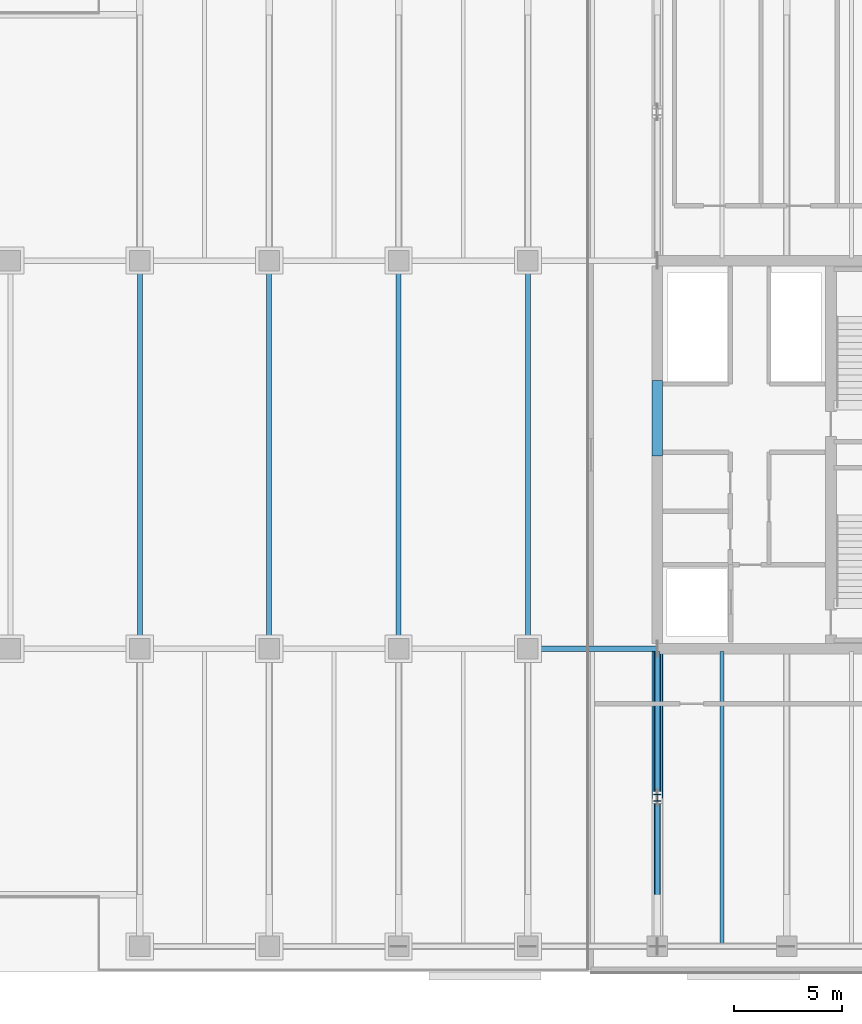
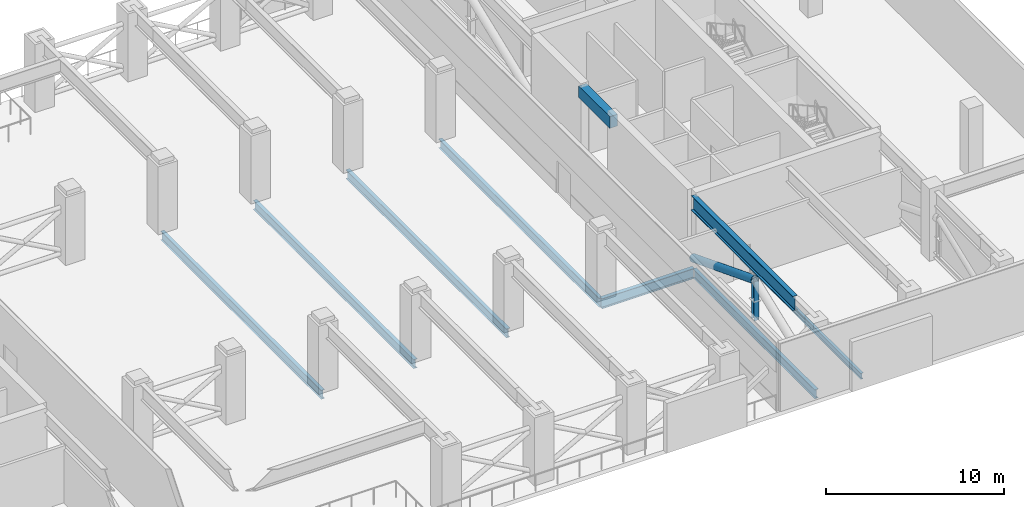
# One storey, part 4 of 21: 9 beams, 2 members.
"""IFC4 building model written with IfcOpenShell, lengths in metres."""

from ifc_helpers import new_model, si_unit, direction, frame, origin, origin_2d, place, context, subcontext, project, spatial, rectangle, hollow_circle, i_section, extrude, material, material_profile, profile_set, type_object, element, save


model = new_model("IFC4")

# Units and contexts
model_context = context("Model", 3, precision=1e-05, world=origin(), true_north=direction((0.0, 1.0)))
body_context = subcontext(model_context, "Body", "Model", "MODEL_VIEW")
ifc_project = project(units=[si_unit("LENGTHUNIT", "METRE"), si_unit("AREAUNIT", "SQUARE_METRE"), si_unit("VOLUMEUNIT", "CUBIC_METRE"), si_unit("PLANEANGLEUNIT", "RADIAN"), si_unit("MASSUNIT", "GRAM", prefix="KILO")], contexts=[model_context])

# Site, building, storey
site_placement = place(None, origin())
site = spatial("IfcSite", under=ifc_project, at=site_placement, CompositionType="ELEMENT")
building_placement = place(site_placement, origin())
building = spatial("IfcBuilding", under=site, at=building_placement, Name="Tanjung Sevakor Pilgrim Tower", CompositionType="ELEMENT")
storey_placement = place(building_placement, frame((0.0, 0.0, 123.090087890625)))
storey = spatial("IfcBuildingStorey", under=building, at=storey_placement, Name="L34", CompositionType="ELEMENT", Elevation=123.090087890625)

# Beams
ifc_material_1 = material(Name="Steel S355J2", Category="steel")
ifc_material_profile_1 = material_profile(ifc_material_1, i_section(OverallWidth=0.25439453125, OverallDepth=0.6875, WebThickness=0.01318359375, FlangeThickness=0.02099609375, FilletRadius=0.01513671875, at=origin_2d()))
ifc_profile_set_1 = profile_set([ifc_material_profile_1], Name="Steel S355J2")
beam_type_1 = type_object("IfcBeamType", Name="BM-B-G2-UB_686x254x152", PredefinedType="BEAM", material=ifc_profile_set_1)
beam_1_placement = place(storey_placement, frame((72.0, 24.60009765625, -0.623779296875), z_axis=(1.0, 0.0, 0.0), x_axis=(0.0, 1.0, 0.0)))
element("IfcBeam", 1, at=beam_1_placement, inside=storey, type_object=beam_type_1, Name="L34 Primary Floor Girder MAIN Y246-08", PredefinedType="BEAM", context=body_context, shape_type="SweptSolid", body=[
    extrude(i_section(OverallWidth=0.25439453125, OverallDepth=0.6875, WebThickness=0.01318359375, FlangeThickness=0.02099609375, FilletRadius=0.01513671875, at=origin_2d()), origin(), (0.0, 0.0, 1.0), 6.0),
])
ifc_material_2 = material(Name="Steel S355J2", Category="steel")
ifc_material_profile_2 = material_profile(ifc_material_2, i_section(OverallWidth=0.230224609375, OverallDepth=0.6171875, WebThickness=0.01318359375, FlangeThickness=0.022216796875, FilletRadius=0.0126953125, at=origin_2d()))
ifc_profile_set_2 = profile_set([ifc_material_profile_2], Name="Steel S355J2")
beam_type_2 = type_object("IfcBeamType", Name="BM-B-G3-UB_610x229x140", PredefinedType="BEAM", material=ifc_profile_set_2)
for number, where, z_axis, x_axis, name in (
    (2, (54.0, 24.60009765625, -0.588623046875), (0.0, 1.0, 0.0), (-1.0, 0.0, 0.0), "L34 MAIN Girder 018"),
    (3, (60.0, 24.60009765625, -0.588623046875), (0.0, 1.0, 0.0), (-1.0, 0.0, 0.0), "L34 MAIN Girder 023"),
    (4, (66.0, 24.60009765625, -0.588623046875), (0.0, 1.0, 0.0), (-1.0, 0.0, 0.0), "L34 MAIN Girder 028"),
    (5, (72.0, 24.60009765625, -0.588623046875), (0.0, 1.0, 0.0), (-1.0, 0.0, 0.0), "L34 MAIN Girder 033"),
):
    element("IfcBeam", number, at=place(storey_placement, frame(where, z_axis=z_axis, x_axis=x_axis)), inside=storey, type_object=beam_type_2, Name=name, PredefinedType="BEAM", context=body_context, shape_type="SweptSolid", body=[
        extrude(i_section(OverallWidth=0.230224609375, OverallDepth=0.6171875, WebThickness=0.01318359375, FlangeThickness=0.022216796875, FilletRadius=0.0126953125, at=origin_2d()), origin(), (0.0, 0.0, 1.0), 18.0),
    ])
beam_2_placement = place(storey_placement, frame((78.0, 10.800048828125, -0.588623046875), z_axis=(0.0, 1.0, 0.0), x_axis=(-1.0, 0.0, 0.0)))
element("IfcBeam", 6, at=beam_2_placement, inside=storey, type_object=beam_type_2, Name="L34 MAIN Girder 037", PredefinedType="BEAM", context=body_context, shape_type="SweptSolid", body=[
    extrude(i_section(OverallWidth=0.230224609375, OverallDepth=0.6171875, WebThickness=0.01318359375, FlangeThickness=0.022216796875, FilletRadius=0.0126953125, at=origin_2d()), origin(), (0.0, 0.0, 1.0), 13.672607421875),
])
ifc_material_3 = material(Name="Steel S460M", Category="steel")
ifc_material_profile_3 = material_profile(ifc_material_3, i_section(OverallWidth=0.302001953125, OverallDepth=1.008056640625, WebThickness=0.02099609375, FlangeThickness=0.0400390625, FilletRadius=0.030029296875, at=origin_2d()))
ifc_profile_set_3 = profile_set([ifc_material_profile_3], Name="Steel S460M")
beam_type_3 = type_object("IfcBeamType", Name="BM-B-G7-HE_1000M", PredefinedType="BEAM", material=ifc_profile_set_3)
beam_3_placement = place(storey_placement, frame((78.0, 13.199951171875, 4.166015625), z_axis=(0.0, 1.0, 0.0), x_axis=(-1.0, 0.0, 0.0)))
element("IfcBeam", 7, at=beam_3_placement, inside=storey, type_object=beam_type_3, Name="L34 Setback Transfer Girder South X78-2", PredefinedType="BEAM", context=body_context, shape_type="SweptSolid", body=[
    extrude(i_section(OverallWidth=0.302001953125, OverallDepth=1.008056640625, WebThickness=0.02099609375, FlangeThickness=0.0400390625, FilletRadius=0.030029296875, at=origin_2d()), origin(), (0.0, 0.0, 1.0), 11.400146484375),
])
ifc_material_4 = material(Name="Steel S355J2", Category="steel")
ifc_material_profile_4 = material_profile(ifc_material_4, i_section(OverallWidth=0.1787109375, OverallDepth=0.409423828125, WebThickness=0.0087890625, FlangeThickness=0.014404296875, FilletRadius=0.01025390625, at=origin_2d()))
ifc_profile_set_4 = profile_set([ifc_material_profile_4], Name="Steel S355J2")
beam_type_4 = type_object("IfcBeamType", Name="BM-B-J3-UB_406x178x67", PredefinedType="JOIST", material=ifc_profile_set_4)
beam_4_placement = place(storey_placement, frame((81.0, 10.89990234375, -0.48486328125), z_axis=(0.0, 1.0, 0.0), x_axis=(-1.0, 0.0, 0.0)))
element("IfcBeam", 8, at=beam_4_placement, inside=storey, type_object=beam_type_4, Name="L34 MAIN Joist 039", PredefinedType="JOIST", context=body_context, shape_type="SweptSolid", body=[
    extrude(i_section(OverallWidth=0.1787109375, OverallDepth=0.409423828125, WebThickness=0.0087890625, FlangeThickness=0.014404296875, FilletRadius=0.01025390625, at=origin_2d()), origin(), (0.0, 0.0, 1.0), 13.57275390625),
])
ifc_material_5 = material(Name="Concrete C60/75", Category="concrete")
ifc_material_profile_5 = material_profile(ifc_material_5, rectangle(XDim=0.5, YDim=0.800048828125, at=origin_2d()))
ifc_profile_set_5 = profile_set([ifc_material_profile_5], Name="Concrete C60/75")
beam_type_5 = type_object("IfcBeamType", Name="BM-B-LN2-RC-BM_500x800", PredefinedType="LINTEL", material=ifc_profile_set_5)
beam_5_placement = place(storey_placement, frame((78.0, 33.550048828125, 4.27001953125), z_axis=(0.0, 1.0, 0.0), x_axis=(-1.0, 0.0, 0.0)))
element("IfcBeam", 9, at=beam_5_placement, inside=storey, type_object=beam_type_5, Name="L34 E Core Coupling Lintel", PredefinedType="LINTEL", context=body_context, shape_type="SweptSolid", body=[
    extrude(rectangle(XDim=0.5, YDim=0.800048828125, at=origin_2d()), origin(), (0.0, 0.0, 1.0), 3.5),
])

# Members
ifc_material_6 = material(Name="Steel S460M", Category="steel")
ifc_material_profile_6 = material_profile(ifc_material_6, hollow_circle(Radius=0.25390625, WallThickness=0.02490234375, at=origin_2d()))
ifc_profile_set_6 = profile_set([ifc_material_profile_6], Name="Steel S460M")
member_type_1 = type_object("IfcMemberType", Name="MEM-M-BR3-CHS_508x25", PredefinedType="BRACE", material=ifc_profile_set_6)
member_1_placement = place(storey_placement, frame((78.0, 17.699951171875, 3.039794921875), z_axis=(0.0, 0.931705543684, -0.36321450944), x_axis=(-1.0, 0.0, 0.0)))
element("IfcMember", 10, at=member_1_placement, inside=storey, type_object=member_type_1, Name="OT-2 L34 Outrigger Truss Diagonal 2 X78 S", PredefinedType="BRACE", context=body_context, shape_type="SweptSolid", body=[
    extrude(hollow_circle(Radius=0.25390625, WallThickness=0.02490234375, at=origin_2d()), origin(), (0.0, 0.0, 1.0), 7.406005859375),
])
ifc_material_7 = material(Name="Steel S460M", Category="steel")
ifc_material_profile_7 = material_profile(ifc_material_7, i_section(OverallWidth=0.30908203125, OverallDepth=0.320556640625, WebThickness=0.013916015625, FlangeThickness=0.021728515625, FilletRadius=0.01513671875, at=origin_2d()))
ifc_profile_set_7 = profile_set([ifc_material_profile_7], Name="Steel S460M")
member_type_2 = type_object("IfcMemberType", Name="MEM-M-ST3-UC_305x305x137", PredefinedType="STRUT", material=ifc_profile_set_7)
member_2_placement = place(storey_placement, frame((78.0, 17.699951171875, 0.349853515625), z_axis=(0.0, 0.0, 1.0), x_axis=(1.0, 0.0, 0.0)))
element("IfcMember", 11, at=member_2_placement, inside=storey, type_object=member_type_2, Name="OT-3 L34 Outrigger Truss Strut X78 S", PredefinedType="STRUT", context=body_context, shape_type="SweptSolid", body=[
    extrude(i_section(OverallWidth=0.30908203125, OverallDepth=0.320556640625, WebThickness=0.013916015625, FlangeThickness=0.021728515625, FilletRadius=0.01513671875, at=origin_2d()), origin(), (0.0, 0.0, 1.0), 2.68994140625),
])

save(model, "model.ifc")
